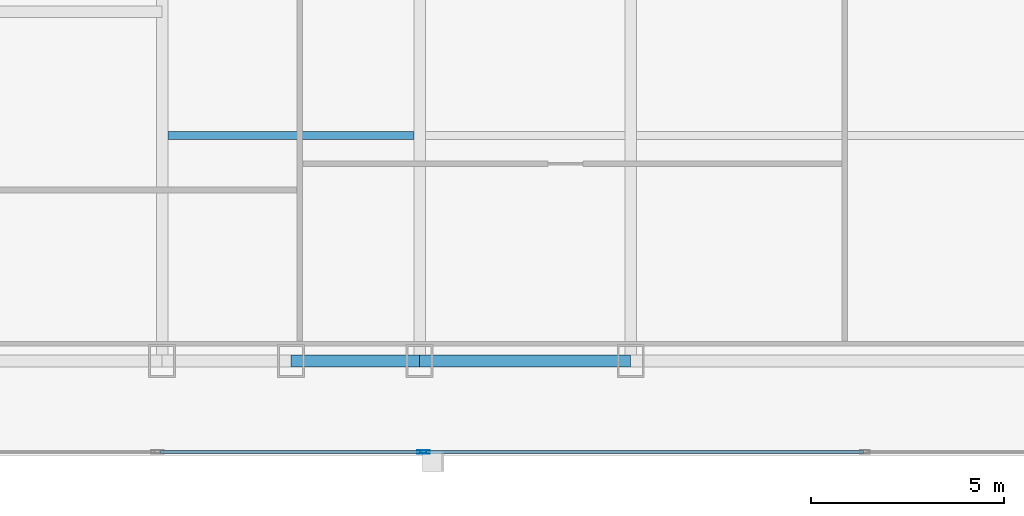
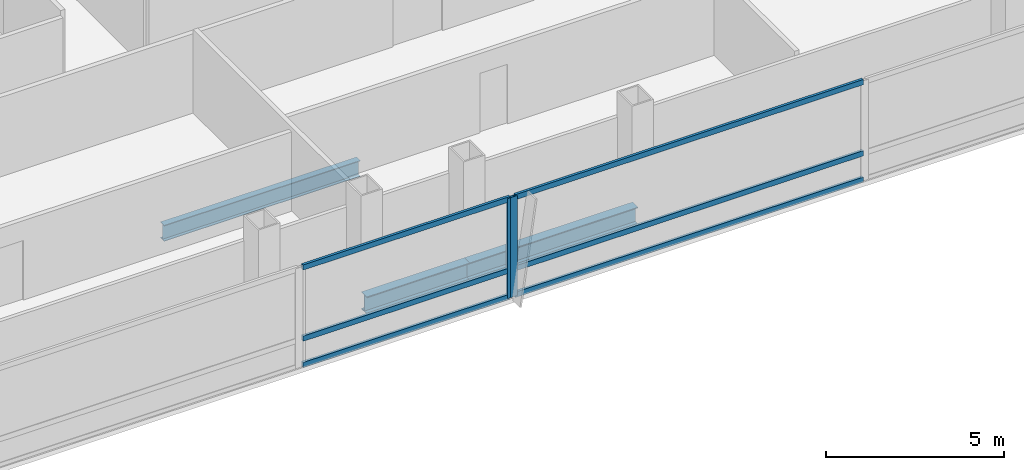
# One storey, part 8 of 31: 8 members, 3 beams, 2 elements without a shape of their own.
"""IFC4 building model written with IfcOpenShell, lengths in metres."""

from ifc_helpers import new_model, si_unit, direction, frame, origin, origin_2d, place, context, subcontext, project, spatial, hollow_rectangle, i_section, extrude, material, material_profile, profile_set, type_object, element, aggregate, save


model = new_model("IFC4")

# Units and contexts
model_context = context("Model", 3, precision=1e-05, world=origin(), true_north=direction((0.0, 1.0)))
body_context = subcontext(model_context, "Body", "Model", "MODEL_VIEW")
ifc_project = project(units=[si_unit("LENGTHUNIT", "METRE"), si_unit("AREAUNIT", "SQUARE_METRE"), si_unit("VOLUMEUNIT", "CUBIC_METRE"), si_unit("PLANEANGLEUNIT", "RADIAN"), si_unit("MASSUNIT", "GRAM", prefix="KILO")], contexts=[model_context])

# Site, building, storey
site_placement = place(None, origin())
site = spatial("IfcSite", under=ifc_project, at=site_placement, CompositionType="ELEMENT")
building_placement = place(site_placement, origin())
building = spatial("IfcBuilding", under=site, at=building_placement, Name="Khoronbel Lancet Exchange", CompositionType="ELEMENT")
storey_placement = place(building_placement, frame((0.0, 0.0, 121.800048828125)))
storey = spatial("IfcBuildingStorey", under=building, at=storey_placement, Name="L29", CompositionType="ELEMENT", Elevation=121.800048828125)

# Beams
ifc_material_1 = material(Name="Steel S355", Category="steel")
ifc_material_profile_1 = material_profile(ifc_material_1, i_section(OverallWidth=0.2099609375, OverallDepth=0.550048828125, WebThickness=0.010986328125, FlangeThickness=0.01708984375, at=origin_2d()), Name="IPE 550")
ifc_profile_set_1 = profile_set([ifc_material_profile_1], Name="Steel S355")
beam_type_1 = type_object("IfcBeamType", Name="BM-BJ2", PredefinedType="JOIST", material=ifc_profile_set_1)
beam_1_placement = place(storey_placement, frame((18.375, 16.0, -0.43505859375), z_axis=(1.0, 0.0, 0.0), x_axis=(0.0, 1.0, 0.0)))
element("IfcBeam", 1, at=beam_1_placement, inside=storey, type_object=beam_type_1, Name="Level L29 secondary composite joist J01", PredefinedType="JOIST", context=body_context, shape_type="SweptSolid", body=[
    extrude(i_section(OverallWidth=0.2099609375, OverallDepth=0.550048828125, WebThickness=0.010986328125, FlangeThickness=0.01708984375, at=origin_2d()), origin(), (0.0, 0.0, 1.0), 6.375),
])
ifc_material_profile_2 = material_profile(ifc_material_1, i_section(OverallWidth=0.300048828125, OverallDepth=0.60009765625, WebThickness=0.015380859375, FlangeThickness=0.030029296875, at=origin_2d()), Name="HEB 600")
ifc_profile_set_2 = profile_set([ifc_material_profile_2], Name="Steel S355")
beam_type_2 = type_object("IfcBeamType", Name="BM-BSP2", PredefinedType="SPANDREL", material=ifc_profile_set_2)
beam_2_placement = place(storey_placement, frame((21.5625, 10.14990234375, -0.4599609375), z_axis=(1.0, 0.0, 0.0), x_axis=(0.0, 1.0, 0.0)))
element("IfcBeam", 2, at=beam_2_placement, inside=storey, type_object=beam_type_2, Name="Level L29 perimeter spandrel beam SP03", PredefinedType="SPANDREL", context=body_context, shape_type="SweptSolid", body=[
    extrude(i_section(OverallWidth=0.300048828125, OverallDepth=0.60009765625, WebThickness=0.015380859375, FlangeThickness=0.030029296875, at=origin_2d()), origin(), (0.0, 0.0, 1.0), 3.33740234375),
])
beam_3_placement = place(storey_placement, frame((24.89990234375, 10.14990234375, -0.4599609375), z_axis=(1.0, 0.0, 0.0), x_axis=(0.0, 1.0, 0.0)))
element("IfcBeam", 3, at=beam_3_placement, inside=storey, type_object=beam_type_2, Name="Level L29 perimeter spandrel beam SP04", PredefinedType="SPANDREL", context=body_context, shape_type="SweptSolid", body=[
    extrude(i_section(OverallWidth=0.300048828125, OverallDepth=0.60009765625, WebThickness=0.015380859375, FlangeThickness=0.030029296875, at=origin_2d()), origin(), (0.0, 0.0, 1.0), 5.47509765625),
])

# Curtain wall, member
ifc_material_2 = material(Name="Low-E Solar Control Insulating Glass", Category="glass")
curtain_wall_type = type_object("IfcCurtainWallType", Name="CW-2", PredefinedType="NOTDEFINED", material=ifc_material_2)
curtain_wall_1_placement = place(storey_placement, origin())
curtain_wall_1 = element("IfcCurtainWall", 4, at=curtain_wall_1_placement, inside=storey, type_object=curtain_wall_type, Name="Unitised curtain wall CW-L29-SWB", PredefinedType="NOTDEFINED")
ifc_material_3 = material(Name="Bronze-Anodised Aluminium 6063-T6", Category="aluminium")
ifc_material_profile_3 = material_profile(ifc_material_3, hollow_rectangle(XDim=0.0849609375, YDim=0.239990234375, WallThickness=0.006103515625, at=origin_2d()), Name="ALU MULLION 85x240")
ifc_profile_set_3 = profile_set([ifc_material_profile_3], Name="Bronze-Anodised Aluminium 6063-T6")
member_type_1 = type_object("IfcMemberType", Name="MEM-CWM1", PredefinedType="MULLION", material=ifc_profile_set_3)
member_1_placement = place(storey_placement, frame((24.95751953125, 7.7900390625, 0.0), z_axis=(0.0, 0.0, 1.0), x_axis=(0.0, 1.0, 0.0)))
member_1 = element("IfcMember", 5, at=member_1_placement, type_object=member_type_1, Name="CW2 mullion 2", PredefinedType="MULLION", context=body_context, shape_type="SweptSolid", body=[
    extrude(hollow_rectangle(XDim=0.0849609375, YDim=0.239990234375, WallThickness=0.006103515625, at=origin_2d()), origin(), (0.0, 0.0, 1.0), 3.43994140625),
])

curtain_wall_2_placement = place(storey_placement, origin())
curtain_wall_2 = element("IfcCurtainWall", 6, at=curtain_wall_2_placement, inside=storey, type_object=curtain_wall_type, Name="Unitised curtain wall CW-L29-SCV", PredefinedType="NOTDEFINED")
member_2_placement = place(storey_placement, frame((25.04248046875, 7.7900390625, 0.0), z_axis=(0.0, 0.0, 1.0), x_axis=(0.0, 1.0, 0.0)))
member_2 = element("IfcMember", 7, at=member_2_placement, type_object=member_type_1, Name="CW2 mullion 1", PredefinedType="MULLION", context=body_context, shape_type="SweptSolid", body=[
    extrude(hollow_rectangle(XDim=0.0849609375, YDim=0.239990234375, WallThickness=0.006103515625, at=origin_2d()), origin(), (0.0, 0.0, 1.0), 3.43994140625),
])

# Member
ifc_material_profile_4 = material_profile(ifc_material_3, hollow_rectangle(XDim=0.0849609375, YDim=0.179931640625, WallThickness=0.0048828125, at=origin_2d()), Name="ALU TRANSOM 85x180")
ifc_profile_set_4 = profile_set([ifc_material_profile_4], Name="Bronze-Anodised Aluminium 6063-T6")
member_type_2 = type_object("IfcMemberType", Name="MEM-CWT1", PredefinedType="USERDEFINED", material=ifc_profile_set_4)
member_3_placement = place(storey_placement, frame((18.18505859375, 7.7900390625, 0.04248046875), z_axis=(1.0, 0.0, 0.0), x_axis=(0.0, 1.0, 0.0)))
member_3 = element("IfcMember", 8, at=member_3_placement, type_object=member_type_2, Name="CW2 transom 1.1", ObjectType="TRANSOM", PredefinedType="USERDEFINED", context=body_context, shape_type="SweptSolid", body=[
    extrude(hollow_rectangle(XDim=0.0849609375, YDim=0.179931640625, WallThickness=0.0048828125, at=origin_2d()), origin(), (0.0, 0.0, 1.0), 6.72998046875),
])

member_4_placement = place(storey_placement, frame((18.18505859375, 7.7900390625, 0.949951171875), z_axis=(1.0, 0.0, 0.0), x_axis=(0.0, 1.0, 0.0)))
member_4 = element("IfcMember", 9, at=member_4_placement, type_object=member_type_2, Name="CW2 transom 1.2", ObjectType="TRANSOM", PredefinedType="USERDEFINED", context=body_context, shape_type="SweptSolid", body=[
    extrude(hollow_rectangle(XDim=0.0849609375, YDim=0.179931640625, WallThickness=0.0048828125, at=origin_2d()), origin(), (0.0, 0.0, 1.0), 6.72998046875),
])

member_5_placement = place(storey_placement, frame((18.18505859375, 7.7900390625, 3.3974609375), z_axis=(1.0, 0.0, 0.0), x_axis=(0.0, 1.0, 0.0)))
member_5 = element("IfcMember", 10, at=member_5_placement, type_object=member_type_2, Name="CW2 transom 1.3", ObjectType="TRANSOM", PredefinedType="USERDEFINED", context=body_context, shape_type="SweptSolid", body=[
    extrude(hollow_rectangle(XDim=0.0849609375, YDim=0.179931640625, WallThickness=0.0048828125, at=origin_2d()), origin(), (0.0, 0.0, 1.0), 6.72998046875),
])

aggregate(curtain_wall_1, [member_1, member_3, member_4, member_5])

member_6_placement = place(storey_placement, frame((25.0849609375, 7.7900390625, 0.04248046875), z_axis=(1.0, 0.0, 0.0), x_axis=(0.0, 1.0, 0.0)))
member_6 = element("IfcMember", 11, at=member_6_placement, type_object=member_type_2, Name="CW2 transom 1.1", ObjectType="TRANSOM", PredefinedType="USERDEFINED", context=body_context, shape_type="SweptSolid", body=[
    extrude(hollow_rectangle(XDim=0.0849609375, YDim=0.179931640625, WallThickness=0.0048828125, at=origin_2d()), origin(), (0.0, 0.0, 1.0), 11.322509765625),
])

member_7_placement = place(storey_placement, frame((25.0849609375, 7.7900390625, 0.949951171875), z_axis=(1.0, 0.0, 0.0), x_axis=(0.0, 1.0, 0.0)))
member_7 = element("IfcMember", 12, at=member_7_placement, type_object=member_type_2, Name="CW2 transom 1.2", ObjectType="TRANSOM", PredefinedType="USERDEFINED", context=body_context, shape_type="SweptSolid", body=[
    extrude(hollow_rectangle(XDim=0.0849609375, YDim=0.179931640625, WallThickness=0.0048828125, at=origin_2d()), origin(), (0.0, 0.0, 1.0), 11.322509765625),
])

member_8_placement = place(storey_placement, frame((25.0849609375, 7.7900390625, 3.3974609375), z_axis=(1.0, 0.0, 0.0), x_axis=(0.0, 1.0, 0.0)))
member_8 = element("IfcMember", 13, at=member_8_placement, type_object=member_type_2, Name="CW2 transom 1.3", ObjectType="TRANSOM", PredefinedType="USERDEFINED", context=body_context, shape_type="SweptSolid", body=[
    extrude(hollow_rectangle(XDim=0.0849609375, YDim=0.179931640625, WallThickness=0.0048828125, at=origin_2d()), origin(), (0.0, 0.0, 1.0), 11.322509765625),
])

aggregate(curtain_wall_2, [member_2, member_6, member_7, member_8])

save(model, "model.ifc")
